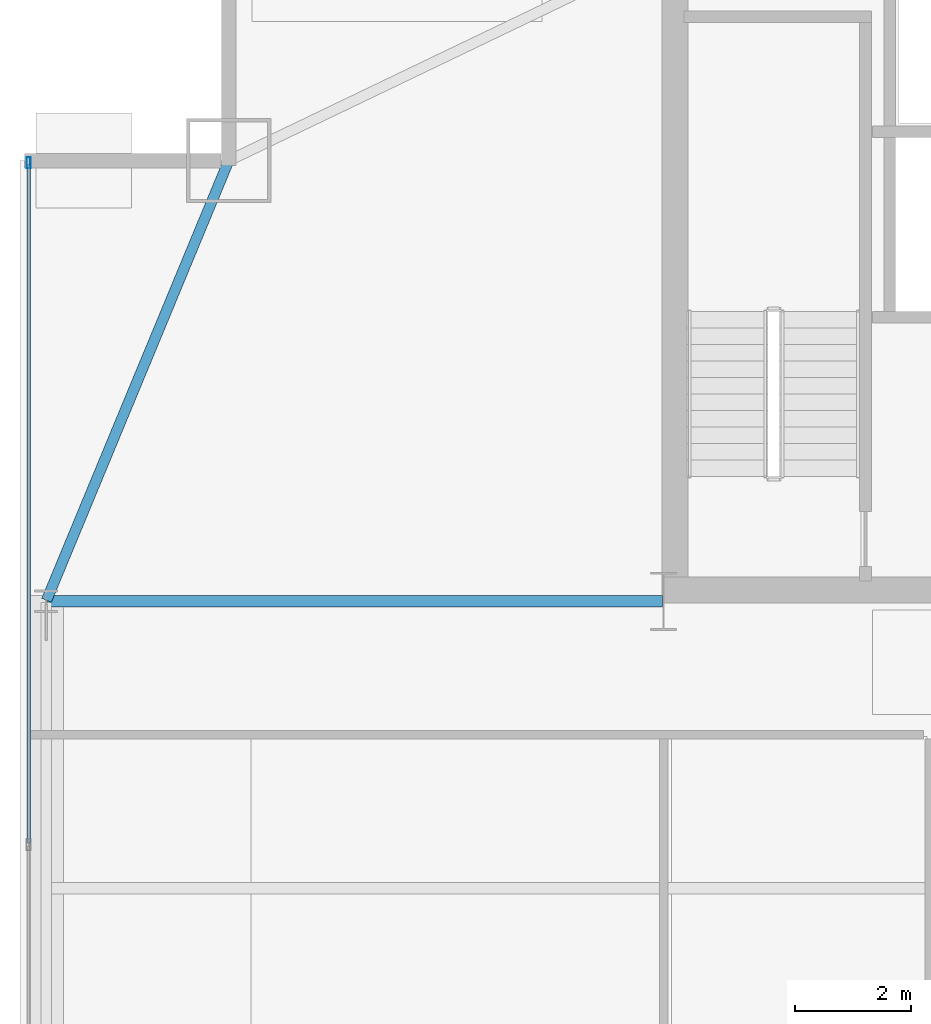
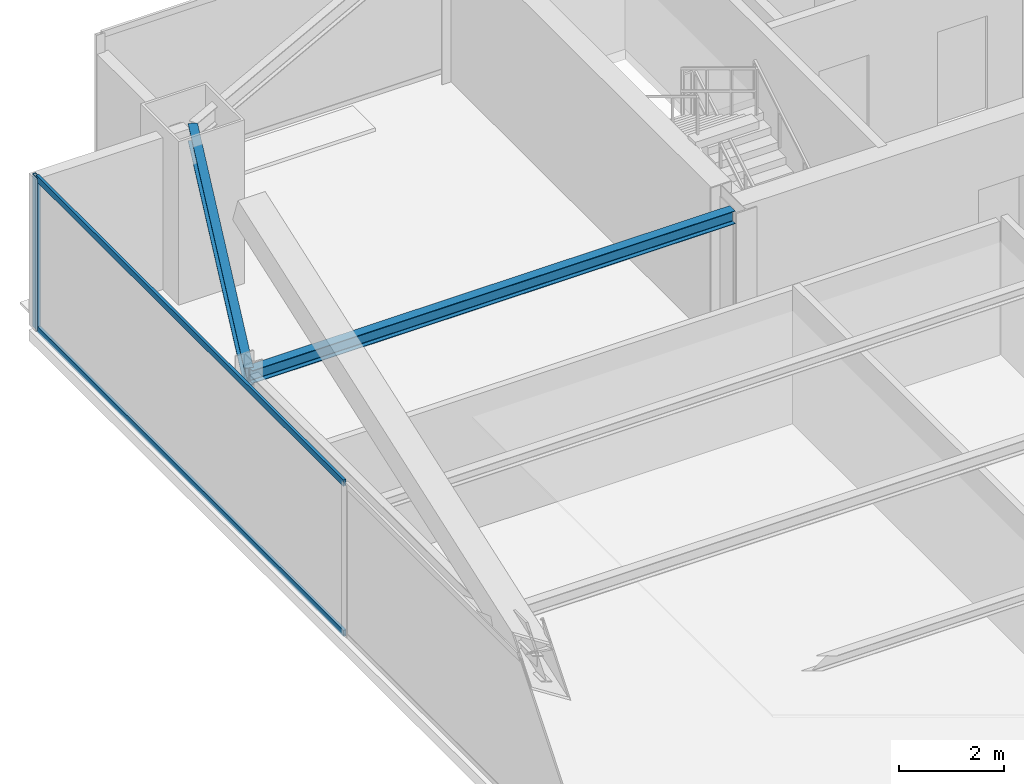
# One storey, part 21 of 35: 3 members, 2 beams, 1 element without a shape of its own.
"""IFC4 building model written with IfcOpenShell, lengths in metres."""

from ifc_helpers import new_model, si_unit, direction, frame, origin, origin_2d, place, context, subcontext, project, spatial, hollow_rectangle, i_section, extrude, source, transform, mapped, material, layer, layer_set, material_profile, profile_set, type_object, type_shapes, element, aggregate, save


model = new_model("IFC4")

# Units and contexts
model_context = context("Model", 3, precision=1e-05, world=origin(), true_north=direction((0.0, 1.0)))
body_context = subcontext(model_context, "Body", "Model", "MODEL_VIEW")
ifc_project = project(units=[si_unit("LENGTHUNIT", "METRE"), si_unit("AREAUNIT", "SQUARE_METRE"), si_unit("VOLUMEUNIT", "CUBIC_METRE"), si_unit("PLANEANGLEUNIT", "RADIAN"), si_unit("MASSUNIT", "GRAM", prefix="KILO")], contexts=[model_context])

# Site, building, storey
site_placement = place(None, origin())
site = spatial("IfcSite", under=ifc_project, at=site_placement, CompositionType="ELEMENT")
building_placement = place(site_placement, origin())
building = spatial("IfcBuilding", under=site, at=building_placement, Name="Varnel Quay Broadcast Tower", CompositionType="ELEMENT")
storey_placement = place(building_placement, frame((0.0, 0.0, 87.0)))
storey = spatial("IfcBuildingStorey", under=building, at=storey_placement, Name="L20", CompositionType="ELEMENT", Elevation=87.0)

# Beams
ifc_material_1 = material(Name="Structural Steel CSA G40.21 350W", Category="steel")
ifc_material_profile_1 = material_profile(ifc_material_1, i_section(OverallWidth=0.180908203125, OverallDepth=0.4169921875, WebThickness=0.010986328125, FlangeThickness=0.018310546875, FilletRadius=0.011962890625, at=origin_2d()), Name="W410X85")
ifc_profile_set_1 = profile_set([ifc_material_profile_1], Name="Structural Steel CSA G40.21 350W")
beam_type_1 = type_object("IfcBeamType", Name="Beam_W410X85", PredefinedType="SPANDREL", material=ifc_profile_set_1)
shared_shape_1 = source(origin(), body_context, "Body", "SweptSolid", [
    extrude(i_section(OverallWidth=0.180908203125, OverallDepth=0.4169921875, WebThickness=0.010986328125, FlangeThickness=0.018310546875, FilletRadius=0.011962890625, at=origin_2d()), origin(), (0.0, 0.0, 1.0), 8.186767578125),
])
type_shapes(beam_type_1, [shared_shape_1])
beam_1_placement = place(storey_placement, frame((4.957763671875, 35.618408203125, 3.341552734375), z_axis=(0.382874132092, 0.923800519038, 0.0), x_axis=(-0.923800519038, 0.382874132092, 0.0)))
element("IfcBeam", 1, at=beam_1_placement, inside=storey, type_object=beam_type_1, Name="L20 West Spandrel TC-W3-MC-NW", PredefinedType="SPANDREL", context=body_context, shape_type="MappedRepresentation", body=[
    mapped(shared_shape_1, transform((0.0, 0.0, 0.0), x_axis=(1.0, 0.0, 0.0), y_axis=(0.0, 1.0, 0.0), z_axis=(0.0, 0.0, 1.0), scale=1.0)),
])
ifc_material_profile_2 = material_profile(ifc_material_1, i_section(OverallWidth=0.202880859375, OverallDepth=0.302978515625, WebThickness=0.007568359375, FlangeThickness=0.01318359375, FilletRadius=0.011962890625, at=origin_2d()), Name="W310X60")
ifc_profile_set_2 = profile_set([ifc_material_profile_2], Name="Structural Steel CSA G40.21 350W")
beam_type_2 = type_object("IfcBeamType", Name="Beam_W310X60", PredefinedType="JOIST", material=ifc_profile_set_2)
shared_shape_2 = source(origin(), body_context, "Body", "SweptSolid", [
    extrude(i_section(OverallWidth=0.202880859375, OverallDepth=0.302978515625, WebThickness=0.007568359375, FlangeThickness=0.01318359375, FilletRadius=0.011962890625, at=origin_2d()), origin(), (0.0, 0.0, 1.0), 10.610107421875),
])
type_shapes(beam_type_2, [shared_shape_2])
beam_2_placement = place(storey_placement, frame((4.969970703125, 35.60009765625, 3.3984375), z_axis=(1.0, 0.0, 0.0), x_axis=(0.0, 1.0, 0.0)))
element("IfcBeam", 2, at=beam_2_placement, inside=storey, type_object=beam_type_2, Name="L20 West Core Tie Joist", PredefinedType="JOIST", context=body_context, shape_type="MappedRepresentation", body=[
    mapped(shared_shape_2, transform((0.0, 0.0, 0.0), x_axis=(1.0, 0.0, 0.0), y_axis=(0.0, 1.0, 0.0), z_axis=(0.0, 0.0, 1.0), scale=1.0)),
])

# Curtain wall, members
ifc_material_2 = material(Name="Anodised Bronze Aluminium 6063-T6", Category="aluminium")
ifc_layer = layer(ifc_material_2, 0.18994140625, Name="Anodised Bronze Aluminium 6063-T6")
ifc_layer_set = layer_set([ifc_layer], Name="Anodised Bronze Aluminium 6063-T6")
curtain_wall_type = type_object("IfcCurtainWallType", Name="CW_LowerTower", PredefinedType="NOTDEFINED", material=ifc_layer_set)
curtain_wall_placement = place(storey_placement, origin())
curtain_wall = element("IfcCurtainWall", 3, at=curtain_wall_placement, inside=storey, type_object=curtain_wall_type, Name="L20 West Unitised Curtain Wall", PredefinedType="NOTDEFINED")
ifc_material_profile_3 = material_profile(ifc_material_2, hollow_rectangle(XDim=0.070068359375, YDim=0.18994140625, WallThickness=0.00390625, at=origin_2d()), Name="ALU70X190X4")
ifc_profile_set_3 = profile_set([ifc_material_profile_3], Name="Anodised Bronze Aluminium 6063-T6")
member_type_1 = type_object("IfcMemberType", Name="Mull_CWS-02", PredefinedType="MULLION", material=ifc_profile_set_3)
shared_shape_3 = source(origin(), body_context, "Body", "SweptSolid", [
    extrude(hollow_rectangle(XDim=0.070068359375, YDim=0.18994140625, WallThickness=0.00390625, at=origin_2d()), origin(), (0.0, 0.0, 1.0), 3.550048828125),
])
type_shapes(member_type_1, [shared_shape_3])
member_1_placement = place(storey_placement, frame((4.64990234375, 43.1650390625, 0.0), z_axis=(0.0, 0.0, 1.0), x_axis=(-1.0, 0.0, 0.0)))
member_1 = element("IfcMember", 4, at=member_1_placement, type_object=member_type_1, Name="CWS-02 mullion 4", PredefinedType="MULLION", context=body_context, shape_type="MappedRepresentation", body=[
    mapped(shared_shape_3, transform((0.0, 0.0, 0.0), x_axis=(1.0, 0.0, 0.0), y_axis=(0.0, 1.0, 0.0), z_axis=(0.0, 0.0, 1.0), scale=1.0)),
])
ifc_material_profile_4 = material_profile(ifc_material_2, hollow_rectangle(XDim=0.06005859375, YDim=0.14501953125, WallThickness=0.00341796875, at=origin_2d()), Name="ALU60X145X3.5")
ifc_profile_set_4 = profile_set([ifc_material_profile_4], Name="Anodised Bronze Aluminium 6063-T6")
member_type_2 = type_object("IfcMemberType", Name="Tran_CWS-02", PredefinedType="USERDEFINED", material=ifc_profile_set_4)
shared_shape_4 = source(origin(), body_context, "Body", "SweptSolid", [
    extrude(hollow_rectangle(XDim=0.06005859375, YDim=0.14501953125, WallThickness=0.00341796875, at=origin_2d()), origin(), (0.0, 0.0, 1.0), 11.69482421875),
])
type_shapes(member_type_2, [shared_shape_4])
member_2_placement = place(storey_placement, frame((4.64990234375, 31.43505859375, 0.030029296875), z_axis=(0.0, 1.0, 0.0), x_axis=(-1.0, 0.0, 0.0)))
member_2 = element("IfcMember", 5, at=member_2_placement, type_object=member_type_2, Name="CWS-02 transom 3.1", ObjectType="TRANSOM", PredefinedType="USERDEFINED", context=body_context, shape_type="MappedRepresentation", body=[
    mapped(shared_shape_4, transform((0.0, 0.0, 0.0), x_axis=(1.0, 0.0, 0.0), y_axis=(0.0, 1.0, 0.0), z_axis=(0.0, 0.0, 1.0), scale=1.0)),
])
member_3_placement = place(storey_placement, frame((4.64990234375, 31.43505859375, 3.52001953125), z_axis=(0.0, 1.0, 0.0), x_axis=(-1.0, 0.0, 0.0)))
member_3 = element("IfcMember", 6, at=member_3_placement, type_object=member_type_2, Name="CWS-02 transom 3.2", ObjectType="TRANSOM", PredefinedType="USERDEFINED", context=body_context, shape_type="MappedRepresentation", body=[
    mapped(shared_shape_4, transform((0.0, 0.0, 0.0), x_axis=(1.0, 0.0, 0.0), y_axis=(0.0, 1.0, 0.0), z_axis=(0.0, 0.0, 1.0), scale=1.0)),
])
aggregate(curtain_wall, [member_1, member_2, member_3])

save(model, "model.ifc")
